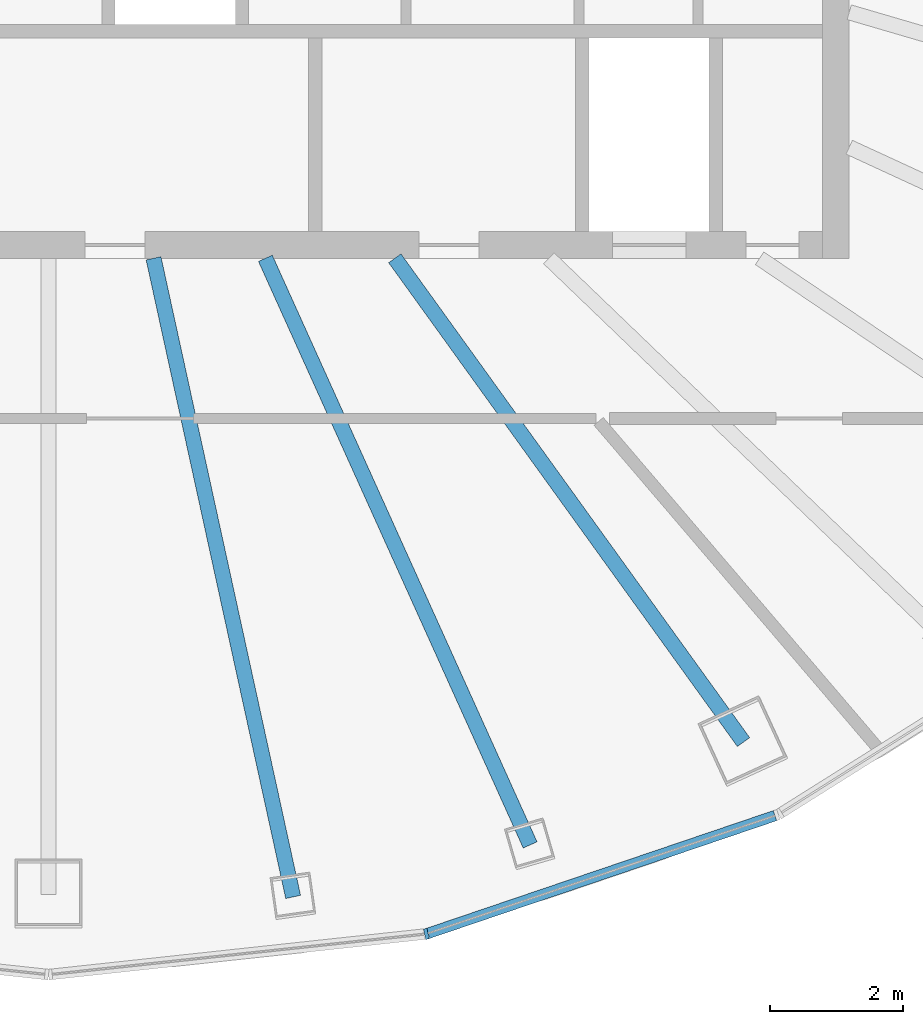
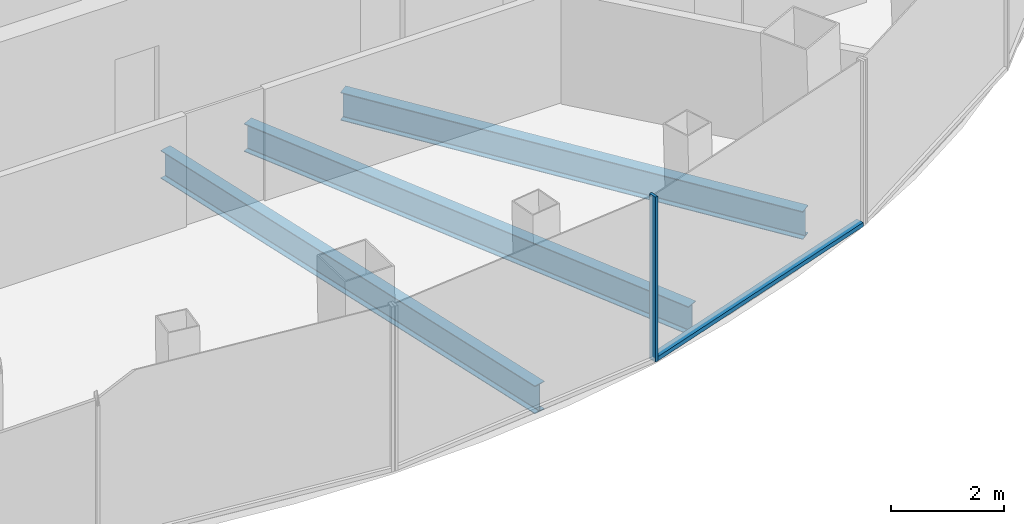
# One storey, part 3 of 11: 3 beams, 2 members, 1 element without a shape of its own.
"""IFC4 building model written with IfcOpenShell, lengths in metres."""

from ifc_helpers import new_model, si_unit, direction, frame, origin, origin_2d, place, context, subcontext, project, spatial, rectangle, i_section, extrude, material, layer, layer_set, material_profile, profile_set, type_object, element, aggregate, save


model = new_model("IFC4")

# Units and contexts
model_context = context("Model", 3, precision=1e-05, world=origin(), true_north=direction((0.0, 1.0)))
body_context = subcontext(model_context, "Body", "Model", "MODEL_VIEW")
ifc_project = project(units=[si_unit("LENGTHUNIT", "METRE"), si_unit("AREAUNIT", "SQUARE_METRE"), si_unit("VOLUMEUNIT", "CUBIC_METRE"), si_unit("PLANEANGLEUNIT", "RADIAN"), si_unit("MASSUNIT", "GRAM", prefix="KILO")], contexts=[model_context])

# Site, building, storey
site_placement = place(None, origin())
site = spatial("IfcSite", under=ifc_project, at=site_placement, CompositionType="ELEMENT")
building_placement = place(site_placement, origin())
building = spatial("IfcBuilding", under=site, at=building_placement, Name="Siaravel Broadcast Tower", CompositionType="ELEMENT")
storey_placement = place(building_placement, frame((0.0, 0.0, 224.5)))
storey = spatial("IfcBuildingStorey", under=building, at=storey_placement, Name="L54", CompositionType="ELEMENT", Elevation=224.5)

# Beams
ifc_material_1 = material(Name="Steel S355", Category="steel")
ifc_material_profile_1 = material_profile(ifc_material_1, i_section(OverallWidth=0.2275390625, OverallDepth=0.6025390625, WebThickness=0.010498046875, FlangeThickness=0.014892578125, FilletRadius=0.0126953125, at=origin_2d()))
ifc_profile_set_1 = profile_set([ifc_material_profile_1], Name="Steel S355")
beam_type = type_object("IfcBeamType", Name="BM-UB 610x229x101", PredefinedType="BEAM", material=ifc_profile_set_1)
beam_1_placement = place(storey_placement, frame((3.666259765625, -16.77099609375, -0.451416015625), z_axis=(-0.213562361, 0.976929433, 0.0), x_axis=(-0.976929433, -0.213562361, 0.0)))
element("IfcBeam", 1, at=beam_1_placement, inside=storey, type_object=beam_type, Name="Radial beam RB29", PredefinedType="BEAM", context=body_context, shape_type="SweptSolid", body=[
    extrude(i_section(OverallWidth=0.2275390625, OverallDepth=0.6025390625, WebThickness=0.010498046875, FlangeThickness=0.014892578125, FilletRadius=0.0126953125, at=origin_2d()), origin(), (0.0, 0.0, 1.0), 9.797119140625),
])
beam_2_placement = place(storey_placement, frame((7.218017578125, -15.99169921875, -0.451416015625), z_axis=(-0.41139683, 0.911456334, 0.0), x_axis=(-0.911456334, -0.41139683, 0.0)))
element("IfcBeam", 2, at=beam_2_placement, inside=storey, type_object=beam_type, Name="Radial beam RB30", PredefinedType="BEAM", context=body_context, shape_type="SweptSolid", body=[
    extrude(i_section(OverallWidth=0.2275390625, OverallDepth=0.6025390625, WebThickness=0.010498046875, FlangeThickness=0.014892578125, FilletRadius=0.0126953125, at=origin_2d()), origin(), (0.0, 0.0, 1.0), 9.645751953125),
])
beam_3_placement = place(storey_placement, frame((10.415771484375, -14.4501953125, -0.451416015625), z_axis=(-0.58473929, 0.811221279, 0.0), x_axis=(-0.811221279, -0.58473929, 0.0)))
element("IfcBeam", 3, at=beam_3_placement, inside=storey, type_object=beam_type, Name="Radial beam RB31", PredefinedType="BEAM", context=body_context, shape_type="SweptSolid", body=[
    extrude(i_section(OverallWidth=0.2275390625, OverallDepth=0.6025390625, WebThickness=0.010498046875, FlangeThickness=0.014892578125, FilletRadius=0.0126953125, at=origin_2d()), origin(), (0.0, 0.0, 1.0), 8.9375),
])

# Curtain wall, members
ifc_material_2 = material(Name="Aluminium 6063-T6", Category="aluminium")
ifc_layer = layer(ifc_material_2, 0.159912109375)
ifc_layer_set = layer_set([ifc_layer], Name="Aluminium 6063-T6")
curtain_wall_type = type_object("IfcCurtainWallType", Name="Unitised curtain wall, zone 4", PredefinedType="NOTDEFINED", material=ifc_layer_set)
curtain_wall_placement = place(storey_placement, origin())
curtain_wall = element("IfcCurtainWall", 4, at=curtain_wall_placement, inside=storey, type_object=curtain_wall_type, Name="L54 Unitised curtain wall, zone 4 10", PredefinedType="NOTDEFINED")
ifc_material_profile_2 = material_profile(ifc_material_2, rectangle(XDim=0.159912109375, YDim=0.054931640625, at=origin_2d()))
ifc_profile_set_2 = profile_set([ifc_material_profile_2], Name="Aluminium 6063-T6")
member_type_1 = type_object("IfcMemberType", Name="CW-Z4 mullion", PredefinedType="MULLION", material=ifc_profile_set_2)
member_1_placement = place(storey_placement, frame((5.662353515625, -17.32568359375, 0.0), z_axis=(0.0, 0.0, 1.0), x_axis=(-0.215558493, 0.97649093, 0.0)))
member_1 = element("IfcMember", 5, at=member_1_placement, type_object=member_type_1, Name="CW-Z4 mullion 2", PredefinedType="MULLION", context=body_context, shape_type="SweptSolid", body=[
    extrude(rectangle(XDim=0.159912109375, YDim=0.054931640625, at=origin_2d()), origin(), (0.0, 0.0, 1.0), 3.550048828125),
])
ifc_material_profile_3 = material_profile(ifc_material_2, rectangle(XDim=0.159912109375, YDim=0.090087890625, at=origin_2d()))
ifc_profile_set_3 = profile_set([ifc_material_profile_3], Name="Aluminium 6063-T6")
member_type_2 = type_object("IfcMemberType", Name="CW-Z4 transom", PredefinedType="USERDEFINED", material=ifc_profile_set_3)
member_2_placement = place(storey_placement, frame((5.6884765625, -17.31689453125, 0.044921875), z_axis=(0.946979908, 0.321292784, 0.0), x_axis=(-0.321292784, 0.946979908, 0.0)))
member_2 = element("IfcMember", 6, at=member_2_placement, type_object=member_type_2, Name="CW-Z4 transom 2", ObjectType="TRANSOM", PredefinedType="USERDEFINED", context=body_context, shape_type="SweptSolid", body=[
    extrude(rectangle(XDim=0.159912109375, YDim=0.090087890625, at=origin_2d()), origin(), (0.0, 0.0, 1.0), 5.489990234375),
])
aggregate(curtain_wall, [member_1, member_2])

save(model, "model.ifc")
